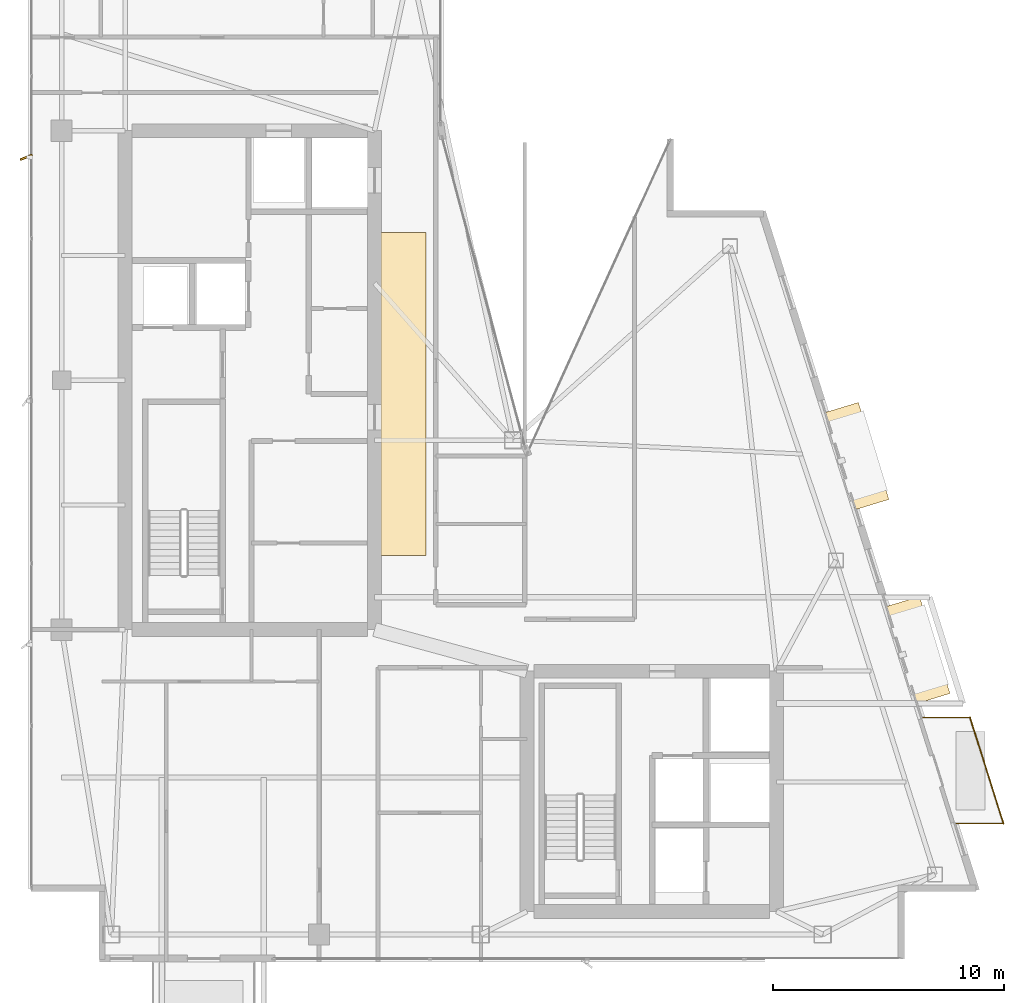
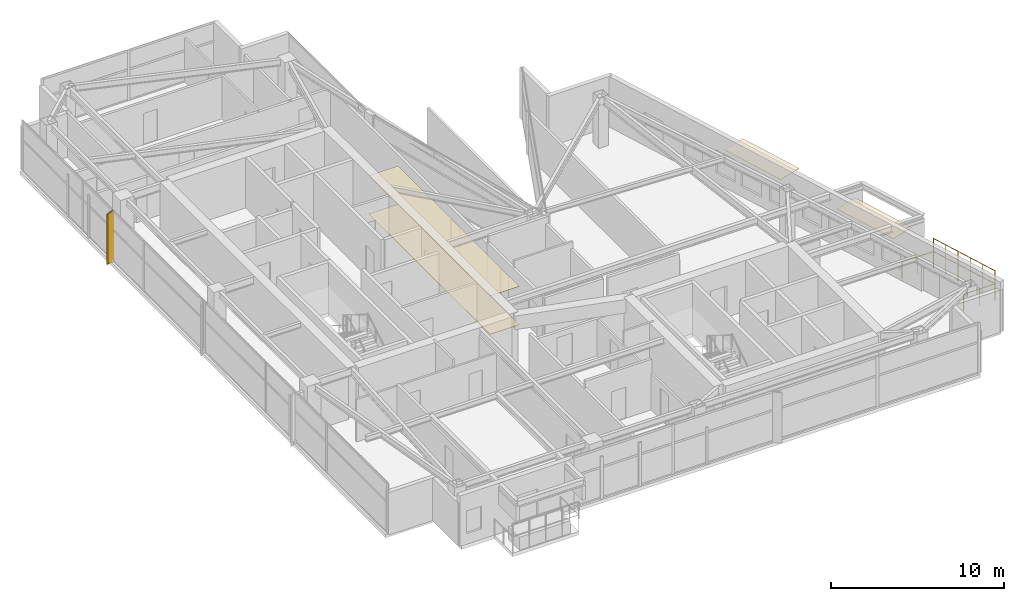
# One storey, part 27 of 27: 4 coverings, 2 railings, 1 shading device.
"""IFC4 building model written with IfcOpenShell, lengths in metres."""

from ifc_helpers import new_model, si_unit, direction, frame, origin, origin_2d, place, context, subcontext, project, spatial, polyline, rectangle, circle, outline, extrude, material, layer, layer_set, type_object, element, save


model = new_model("IFC4")

# Units and contexts
model_context = context("Model", 3, precision=1e-05, world=origin(), true_north=direction((0.0, 1.0)))
body_context = subcontext(model_context, "Body", "Model", "MODEL_VIEW")
ifc_project = project(units=[si_unit("LENGTHUNIT", "METRE"), si_unit("AREAUNIT", "SQUARE_METRE"), si_unit("VOLUMEUNIT", "CUBIC_METRE"), si_unit("PLANEANGLEUNIT", "RADIAN"), si_unit("MASSUNIT", "GRAM", prefix="KILO")], contexts=[model_context])

# Site, building, storey
site_placement = place(None, origin())
site = spatial("IfcSite", under=ifc_project, at=site_placement, CompositionType="ELEMENT")
building_placement = place(site_placement, origin())
building = spatial("IfcBuilding", under=site, at=building_placement, Name="Calvorn Quay Hotel", CompositionType="ELEMENT")
storey_placement = place(building_placement, frame((0.0, 0.0, 291.10009765625)))
storey = spatial("IfcBuildingStorey", under=building, at=storey_placement, Name="L72", CompositionType="ELEMENT", Elevation=291.10009765625)

# Coverings
ifc_material_1 = material(Name="Anodised Aluminium Acoustic Baffle", Category="aluminium")
ifc_layer_1 = layer(ifc_material_1, 0.02001953125)
ifc_layer_set_1 = layer_set([ifc_layer_1], Name="COV-CEIL-METAL")
covering_type_1 = type_object("IfcCoveringType", Name="COV-CEIL-METAL", PredefinedType="CEILING", material=ifc_layer_set_1)
covering_1_placement = place(storey_placement, frame((16.25, 27.0, 2.699951171875), z_axis=(0.0, 0.0, 1.0), x_axis=(1.0, 0.0, 0.0)))
element("IfcCovering", 1, at=covering_1_placement, inside=storey, type_object=covering_type_1, Name="Acoustic Suspended Ceiling (L72)", PredefinedType="CEILING", context=body_context, shape_type="SweptSolid", body=[
    extrude(rectangle(XDim=1.9599609375, YDim=14.0, at=origin_2d()), origin(), (0.0, 0.0, 1.0), 0.02001953125),
])
ifc_material_2 = material(Name="Pale Anodised Aluminium Rainscreen Cladding", Category="aluminium")
ifc_layer_2 = layer(ifc_material_2, 0.044921875)
ifc_layer_set_2 = layer_set([ifc_layer_2], Name="COV-CROWN-CLAD")
covering_type_2 = type_object("IfcCoveringType", Name="COV-CROWN-CLAD", PredefinedType="CLADDING", material=ifc_layer_set_2)
covering_2_placement = place(storey_placement, frame((0.0, 0.0, 2.5048828125)))
element("IfcCovering", 2, at=covering_2_placement, inside=storey, type_object=covering_type_2, Name="Angled Bay Hood Canopy L72-HOOD-2", PredefinedType="CLADDING", context=body_context, shape_type="SweptSolid", body=[
    extrude(outline(polyline([(37.117919921875, 17.7880859375), (38.591064453125, 18.235107421875), (39.9140625, 14.034912109375), (38.44091796875, 13.587890625), (37.117919921875, 17.7880859375)])), origin(), (0.0, 0.0, 1.0), 0.044921875),
])
covering_3_placement = place(storey_placement, frame((0.0, 0.0, 2.5048828125)))
element("IfcCovering", 3, at=covering_3_placement, inside=storey, type_object=covering_type_2, Name="Angled Bay Hood Canopy L72-HOOD-3", PredefinedType="CLADDING", context=body_context, shape_type="SweptSolid", body=[
    extrude(outline(polyline([(34.471923828125, 26.18798828125), (35.945068359375, 26.635009765625), (37.26806640625, 22.43505859375), (35.794921875, 21.988037109375), (34.471923828125, 26.18798828125)])), origin(), (0.0, 0.0, 1.0), 0.044921875),
])
ifc_material_3 = material(Name="Honed Granite Stone Flooring", Category="masonry")
ifc_layer_3 = layer(ifc_material_3, 0.02392578125)
ifc_layer_set_3 = layer_set([ifc_layer_3], Name="COV-FLOOR-STONE")
covering_type_3 = type_object("IfcCoveringType", Name="COV-FLOOR-STONE", PredefinedType="FLOORING", material=ifc_layer_set_3)
covering_4_placement = place(storey_placement, frame((16.25, 27.0, 0.0), z_axis=(0.0, 0.0, 1.0), x_axis=(1.0, 0.0, 0.0)))
element("IfcCovering", 4, at=covering_4_placement, inside=storey, type_object=covering_type_3, Name="Interior Floor Finish (L72)", PredefinedType="FLOORING", context=body_context, shape_type="SweptSolid", body=[
    extrude(rectangle(XDim=1.9599609375, YDim=14.0, at=origin_2d()), origin(), (0.0, 0.0, 1.0), 0.02392578125),
])

# Railings
ifc_material_4 = material(Name="Pale Anodised Aluminium and Laminated Glass", Category="aluminium")
railing_type = type_object("IfcRailingType", Name="RLG-BALUSTRADE-1200", PredefinedType="BALUSTRADE", material=ifc_material_4)
railing_1_placement = place(storey_placement, frame((40.1279296875, 8.39990234375, 0.0)))
element("IfcRailing", 5, at=railing_1_placement, inside=storey, type_object=railing_type, Name="Tree Balcony Perimeter Balustrade L72-BALC-E", PredefinedType="BALUSTRADE", context=body_context, shape_type="SweptSolid", body=[
    extrude(circle(Radius=0.02392578125, at=origin_2d()), frame((0.0, 0.0, 1.17578125), z_axis=(1.0, 0.0, 0.0), x_axis=(0.0, 1.0, 0.0)), (0.0, 0.0, 1.0), 2.10009765625),
    extrude(circle(Radius=0.02392578125, at=origin_2d()), frame((2.10009765625, 0.0, 1.17578125), z_axis=(-0.300620172346, 0.953743944662, 0.0), x_axis=(-0.953743944662, -0.300620172346, 0.0)), (0.0, 0.0, 1.0), 4.8232421875),
    extrude(circle(Radius=0.02392578125, at=origin_2d()), frame((0.650146484375, 4.60009765625, 1.17578125), z_axis=(-1.0, 0.0, 0.0), x_axis=(0.0, -1.0, 0.0)), (0.0, 0.0, 1.0), 2.10009765625),
    extrude(circle(Radius=0.02099609375, at=origin_2d()), origin(), (0.0, 0.0, 1.0), 1.15185546875),
    extrude(circle(Radius=0.02099609375, at=origin_2d()), frame((1.050048828125, 0.0, 0.0)), (0.0, 0.0, 1.0), 1.15185546875),
    extrude(circle(Radius=0.02099609375, at=origin_2d()), frame((2.10009765625, 0.0, 0.0)), (0.0, 0.0, 1.0), 1.15185546875),
    extrude(circle(Radius=0.02099609375, at=origin_2d()), frame((1.81005859375, 0.919921875, 0.0)), (0.0, 0.0, 1.0), 1.15185546875),
    extrude(circle(Radius=0.02099609375, at=origin_2d()), frame((1.52001953125, 1.840087890625, 0.0)), (0.0, 0.0, 1.0), 1.15185546875),
    extrude(circle(Radius=0.02099609375, at=origin_2d()), frame((1.230224609375, 2.760009765625, 0.0)), (0.0, 0.0, 1.0), 1.15185546875),
    extrude(circle(Radius=0.02099609375, at=origin_2d()), frame((0.940185546875, 3.68017578125, 0.0)), (0.0, 0.0, 1.0), 1.15185546875),
    extrude(circle(Radius=0.02099609375, at=origin_2d()), frame((0.650146484375, 4.60009765625, 0.0)), (0.0, 0.0, 1.0), 1.15185546875),
    extrude(circle(Radius=0.02099609375, at=origin_2d()), frame((-0.39990234375, 4.60009765625, 0.0)), (0.0, 0.0, 1.0), 1.15185546875),
    extrude(circle(Radius=0.02099609375, at=origin_2d()), frame((-1.449951171875, 4.60009765625, 0.0)), (0.0, 0.0, 1.0), 1.15185546875),
])
railing_2_placement = place(storey_placement, frame((42.22802734375, 8.39990234375, 0.89990234375)))
element("IfcRailing", 6, at=railing_2_placement, inside=storey, type_object=railing_type, Name="Planter Kerb High Safety Screen L72-BALC-E", PredefinedType="BALUSTRADE", context=body_context, shape_type="SweptSolid", body=[
    extrude(circle(Radius=0.02392578125, at=origin_2d()), frame((0.0, 0.0, 1.19580078125), z_axis=(-0.300620172346, 0.953743944662, 0.0), x_axis=(-0.953743944662, -0.300620172346, 0.0)), (0.0, 0.0, 1.0), 4.8232421875),
    extrude(circle(Radius=0.02099609375, at=origin_2d()), origin(), (0.0, 0.0, 1.0), 1.171875),
    extrude(circle(Radius=0.02099609375, at=origin_2d()), frame((-0.2900390625, 0.919921875, 0.0)), (0.0, 0.0, 1.0), 1.171875),
    extrude(circle(Radius=0.02099609375, at=origin_2d()), frame((-0.580078125, 1.840087890625, 0.0)), (0.0, 0.0, 1.0), 1.171875),
    extrude(circle(Radius=0.02099609375, at=origin_2d()), frame((-0.869873046875, 2.760009765625, 0.0)), (0.0, 0.0, 1.0), 1.171875),
    extrude(circle(Radius=0.02099609375, at=origin_2d()), frame((-1.159912109375, 3.68017578125, 0.0)), (0.0, 0.0, 1.0), 1.171875),
    extrude(circle(Radius=0.02099609375, at=origin_2d()), frame((-1.449951171875, 4.60009765625, 0.0)), (0.0, 0.0, 1.0), 1.171875),
])

# Shading device
ifc_material_5 = material(Name="Champagne Bronze Anodised Aluminium 6063-T6", Category="aluminium")
shading_device_type = type_object("IfcShadingDeviceType", Name="SHD-FIN-A1", PredefinedType="USERDEFINED", material=ifc_material_5)
shading_device_placement = place(storey_placement, frame((-0.080078125, 37.25, -0.000244140625), z_axis=(0.0, 0.0, 1.0), x_axis=(0.927183854567, 0.374606593416, 0.0)))
element("IfcShadingDevice", 7, at=shading_device_placement, inside=storey, type_object=shading_device_type, Name="Diagonal Sun-Shading Fin L72-W03", ObjectType="FIN", PredefinedType="USERDEFINED", context=body_context, shape_type="SweptSolid", body=[
    extrude(rectangle(XDim=0.550048828125, YDim=0.080078125, at=origin_2d()), origin(), (0.0, 0.0, 1.0), 3.56005859375),
])

save(model, "model.ifc")
